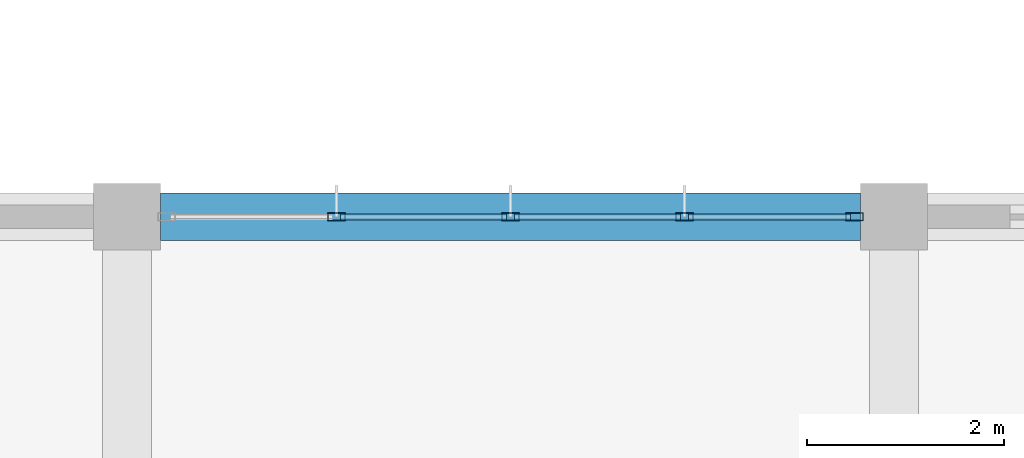
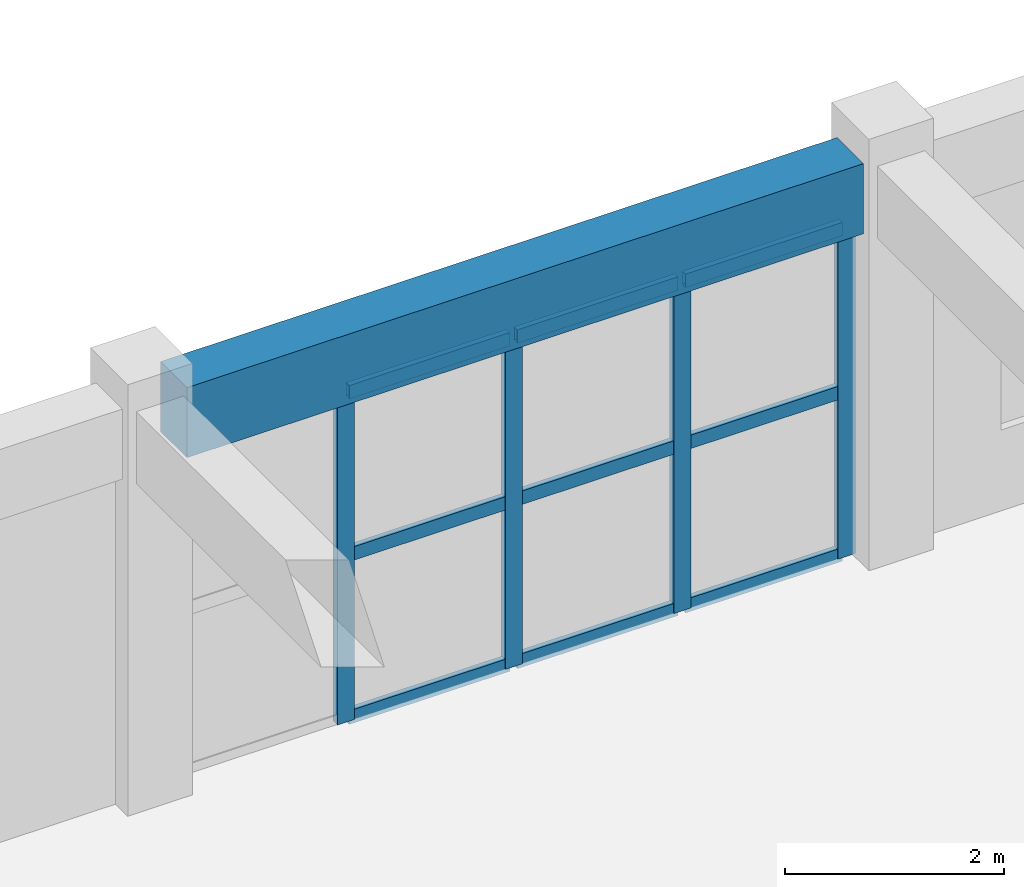
# One storey, part 114 of 175: 13 members, 1 beam, 1 element without a shape of its own.
"""IFC4 building model written with IfcOpenShell, lengths in metres."""

import ifcopenshell
import ifcopenshell.guid

model = None  # the IFC model being written
_history = None  # IfcOwnerHistory: only IFC2X3 demands one
_inside = {}  # id of a spatial element -> (the spatial element, [elements in it])
_under = {}  # id of a project, library or spatial element -> (it, [spatial elements below it])
_declared = {}  # id of a project -> (the project, [libraries it declares])
_typed = {}  # id of a type object -> (the type object, [elements of that type])
_made_of = {}  # id of a material, layer set ... -> (it, [elements and type objects made of it])


def new_model(schema):
    """Start an empty IFC model of exactly this schema.

    Asked for "IFC4X3", IfcOpenShell would pick the latest addendum, in which some entities
    have other attributes; the version numbers below select the first issue.
    IFC2X3 requires an IfcOwnerHistory on every rooted entity: one is made here for all.
    """
    global model, _history
    if schema == "IFC4X3":
        model = ifcopenshell.file(schema_version=(4, 3, 0, 0))
    else:
        model = ifcopenshell.file(schema=schema)
    _inside.clear()
    _under.clear()
    _declared.clear()
    _typed.clear()
    _made_of.clear()
    _history = None
    if model.schema == "IFC2X3":
        org = make("IfcOrganization", Name="unknown")
        user = make(
            "IfcPersonAndOrganization",
            ThePerson=make("IfcPerson", FamilyName="unknown"),
            TheOrganization=org,
        )
        app = make(
            "IfcApplication",
            ApplicationDeveloper=org,
            Version="unknown",
            ApplicationFullName="unknown",
            ApplicationIdentifier="unknown",
        )
        _history = make(
            "IfcOwnerHistory",
            OwningUser=user,
            OwningApplication=app,
            ChangeAction="ADDED",
            CreationDate=0,
        )
    return model


def make(cls, **values):
    """One entity of the class cls with the attributes given. An attribute that is None is left unset."""
    return model.create_entity(
        cls, **{name: value for name, value in values.items() if value is not None}
    )


def rooted(cls, **values):
    """An entity with a GlobalId (a new one), such as an element, a storey or a relation."""
    return make(cls, GlobalId=ifcopenshell.guid.new(), OwnerHistory=_history, **values)


def si_unit(unit_type, name, prefix=None):
    """IfcSIUnit, for example si_unit("LENGTHUNIT", "METRE", prefix="MILLI")."""
    return make("IfcSIUnit", UnitType=unit_type, Prefix=prefix, Name=name)


def assignment(units):
    """IfcUnitAssignment: the units of a project."""
    return None if units is None else make("IfcUnitAssignment", Units=units)


def point(xyz):
    """IfcCartesianPoint."""
    return None if xyz is None else make("IfcCartesianPoint", Coordinates=xyz)


def direction(xyz):
    """IfcDirection."""
    return None if xyz is None else make("IfcDirection", DirectionRatios=xyz)


def frame(location, z_axis=None, x_axis=None):
    """IfcAxis2Placement3D, a coordinate frame: its origin and axes. An axis left out is left unset."""
    return make(
        "IfcAxis2Placement3D",
        Location=point(location),
        Axis=direction(z_axis),
        RefDirection=direction(x_axis),
    )


def frame_2d(location, x_axis=None):
    """IfcAxis2Placement2D, a coordinate frame in the plane: its origin and x axis."""
    return make(
        "IfcAxis2Placement2D", Location=point(location), RefDirection=direction(x_axis)
    )


def origin():
    """The frame at (0, 0, 0) with its axes left unset."""
    return frame((0.0, 0.0, 0.0))


def origin_2d():
    """The frame at (0, 0) in the plane with its x axis left unset."""
    return frame_2d((0.0, 0.0))


def place(relative_to, where):
    """IfcLocalPlacement: puts the frame where relative to a parent placement (None: the world)."""
    return make(
        "IfcLocalPlacement", PlacementRelTo=relative_to, RelativePlacement=where
    )


def context(
    kind, dimensions, precision=None, world=None, true_north=None, identifier=None
):
    """IfcGeometricRepresentationContext, for example the 3D "Model" context."""
    return make(
        "IfcGeometricRepresentationContext",
        ContextIdentifier=identifier,
        ContextType=kind,
        CoordinateSpaceDimension=dimensions,
        Precision=precision,
        WorldCoordinateSystem=world,
        TrueNorth=true_north,
    )


def subcontext(parent, identifier, kind, view, scale=None):
    """IfcGeometricRepresentationSubContext, for example "Body" below "Model"."""
    return make(
        "IfcGeometricRepresentationSubContext",
        ContextIdentifier=identifier,
        ContextType=kind,
        ParentContext=parent,
        TargetScale=scale,
        TargetView=view,
    )


def project(units=None, contexts=None):
    """IfcProject with its units and contexts."""
    return rooted(
        "IfcProject",
        Name="project",
        RepresentationContexts=contexts,
        UnitsInContext=assignment(units),
    )


def spatial(cls, under=None, at=None, **own):
    """A site, building, storey or space (cls), placed at a placement, below another one or the project."""
    s = rooted(cls, ObjectPlacement=at, **own)
    if under is not None:
        _under.setdefault(under.id(), (under, []))[1].append(s)
    return s


def profile(cls, at=None, kind="AREA", **sizes):
    """A parametric profile (cls). Its sizes go by their IFC names, for example OverallWidth=200.0."""
    return make(cls, ProfileType=kind, Position=at, **sizes)


def rectangle(**sizes):
    """IfcRectangleProfileDef."""
    return profile("IfcRectangleProfileDef", **sizes)


def hollow_rectangle(**sizes):
    """IfcRectangleHollowProfileDef."""
    return profile("IfcRectangleHollowProfileDef", **sizes)


def extrude(swept, where, along, depth):
    """IfcExtrudedAreaSolid: the profile swept, set in the frame where, extruded along a direction by depth."""
    return make(
        "IfcExtrudedAreaSolid",
        SweptArea=swept,
        Position=where,
        ExtrudedDirection=direction(along),
        Depth=depth,
    )


def shape(context_of_items, identifier, shape_type, items):
    """IfcShapeRepresentation: the items that make up one representation, for example the "Body"."""
    return make(
        "IfcShapeRepresentation",
        ContextOfItems=context_of_items,
        RepresentationIdentifier=identifier,
        RepresentationType=shape_type,
        Items=items,
    )


def material(Name=None, Category=None):
    """IfcMaterial."""
    return make("IfcMaterial", Name=Name, Category=Category)


def layer(
    of_material, thickness, ventilated=None, Name=None, Category=None, Priority=None
):
    """IfcMaterialLayer: one layer of a wall or slab, of a material (None: an air gap)."""
    return make(
        "IfcMaterialLayer",
        Material=of_material,
        LayerThickness=thickness,
        IsVentilated=ventilated,
        Name=Name,
        Category=Category,
        Priority=Priority,
    )


def layer_set(layers, Name=None):
    """IfcMaterialLayerSet."""
    return make("IfcMaterialLayerSet", MaterialLayers=layers, LayerSetName=Name)


def material_profile(
    of_material, cross_section, Name=None, Category=None, Priority=None
):
    """IfcMaterialProfile: a cross section and its material."""
    return make(
        "IfcMaterialProfile",
        Name=Name,
        Material=of_material,
        Profile=cross_section,
        Priority=Priority,
        Category=Category,
    )


def profile_set(profiles, Name=None, composite=None):
    """IfcMaterialProfileSet."""
    return make(
        "IfcMaterialProfileSet",
        Name=Name,
        MaterialProfiles=profiles,
        CompositeProfile=composite,
    )


def made_of(thing, what):
    """Note that an element or type object is made of a material, layer set ...; save() writes the relation."""
    if what is not None:
        _made_of.setdefault(what.id(), (what, []))[1].append(thing)
    return thing


def type_object(cls, material=None, **own):
    """A type object (cls), such as IfcWallType, which elements share."""
    return made_of(rooted(cls, **own), material)


def element(
    cls,
    number,
    at=None,
    inside=None,
    cuts=None,
    type_object=None,
    material=None,
    context=None,
    identifier="Body",
    shape_type=None,
    held_by="IfcProductDefinitionShape",
    body=None,
    shapes=None,
    **own,
):
    """One element of the class cls, such as IfcWall. Its Tag is "e" and its number.

    at: its placement. inside: the storey or other place that contains it. cuts: it is an
    opening in that element (IfcRelVoidsElement). A single representation is given by context,
    identifier, shape_type and body (its items); several are given by shapes. held_by: the class
    of the entity that holds the representations. save() writes the other relations.
    """
    e = rooted(cls, Tag="e%d" % number, ObjectPlacement=at, **own)
    if body is not None:
        shapes = [shape(context, identifier, shape_type, body)]
    if shapes is not None:
        e.Representation = make(held_by, Representations=shapes)
    if inside is not None:
        _inside.setdefault(inside.id(), (inside, []))[1].append(e)
    if cuts is not None:
        rooted(
            "IfcRelVoidsElement", RelatingBuildingElement=cuts, RelatedOpeningElement=e
        )
    if type_object is not None:
        _typed.setdefault(type_object.id(), (type_object, []))[1].append(e)
    return made_of(e, material)


def aggregate(whole, parts):
    """IfcRelAggregates: a whole, such as a stair, and the parts it consists of."""
    return rooted("IfcRelAggregates", RelatingObject=whole, RelatedObjects=parts)


def save(model, path):
    """Write the relations noted so far, then the file.

    IfcRelAggregates (storeys below a building ...), IfcRelContainedInSpatialStructure (elements
    in a storey), IfcRelDefinesByType, IfcRelAssociatesMaterial and IfcRelDeclares: one each for
    every whole, place, type object, material and project.
    """
    for whole, parts in _under.values():
        aggregate(whole, parts)
    for where, things in _inside.values():
        rooted(
            "IfcRelContainedInSpatialStructure",
            RelatedElements=things,
            RelatingStructure=where,
        )
    for kind, things in _typed.values():
        rooted("IfcRelDefinesByType", RelatedObjects=things, RelatingType=kind)
    for what, things in _made_of.values():
        rooted("IfcRelAssociatesMaterial", RelatedObjects=things, RelatingMaterial=what)
    for by, libraries in _declared.values():
        rooted("IfcRelDeclares", RelatingContext=by, RelatedDefinitions=libraries)
    model.write(path)


model = new_model("IFC4")

# Units and contexts
model_context = context("Model", 3, precision=1e-05, world=origin(), true_north=direction((0.0, 1.0)))
body_context = subcontext(model_context, "Body", "Model", "MODEL_VIEW")
ifc_project = project(units=[si_unit("LENGTHUNIT", "METRE"), si_unit("AREAUNIT", "SQUARE_METRE"), si_unit("VOLUMEUNIT", "CUBIC_METRE"), si_unit("PLANEANGLEUNIT", "RADIAN"), si_unit("MASSUNIT", "GRAM", prefix="KILO")], contexts=[model_context])

# Site, building, storey
site_placement = place(None, origin())
site = spatial("IfcSite", under=ifc_project, at=site_placement, CompositionType="ELEMENT")
building_placement = place(site_placement, origin())
building = spatial("IfcBuilding", under=site, at=building_placement, Name="Zizhar Promenade General Hospital", CompositionType="ELEMENT")
storey_placement = place(building_placement, frame((0.0, 0.0, 4.800048828125)))
storey = spatial("IfcBuildingStorey", under=building, at=storey_placement, Name="L01", CompositionType="ELEMENT", Elevation=4.800048828125)

# Beam
ifc_material_1 = material(Name="Concrete C35/45", Category="concrete")
ifc_material_profile_1 = material_profile(ifc_material_1, rectangle(XDim=0.47998046875, YDim=0.780029296875, at=origin_2d()))
ifc_profile_set_1 = profile_set([ifc_material_profile_1], Name="Concrete C35/45")
beam_type = type_object("IfcBeamType", Name="BM-RC-480x780", PredefinedType="BEAM", material=ifc_profile_set_1)
beam_placement = place(storey_placement, frame((156.340087890625, 109.199951171875, 4.079833984375), z_axis=(1.0, 0.0, 0.0), x_axis=(0.0, 1.0, 0.0)))
element("IfcBeam", 1, at=beam_placement, inside=storey, type_object=beam_type, Name="Grid Beam X L01 (20-13)", PredefinedType="BEAM", context=body_context, shape_type="SweptSolid", body=[
    extrude(rectangle(XDim=0.47998046875, YDim=0.780029296875, at=origin_2d()), origin(), (0.0, 0.0, 1.0), 7.119873046875),
])

# Curtain wall, members
ifc_material_2 = material(Name="Anodised aluminium 6063-T6 and low-E glass", Category="aluminium")
ifc_layer = layer(ifc_material_2, 0.159912109375)
ifc_layer_set = layer_set([ifc_layer], Name="Anodised aluminium 6063-T6 and low-E glass")
curtain_wall_type = type_object("IfcCurtainWallType", Name="CW-CLN-EXT", PredefinedType="NOTDEFINED", material=ifc_layer_set)
curtain_wall_placement = place(storey_placement, origin())
curtain_wall = element("IfcCurtainWall", 2, at=curtain_wall_placement, inside=storey, type_object=curtain_wall_type, Name="Outpatient North Curtain Wall L01-20", PredefinedType="NOTDEFINED")
ifc_material_3 = material(Name="Anodised aluminium 6063-T6", Category="aluminium")
ifc_material_profile_2 = material_profile(ifc_material_3, hollow_rectangle(XDim=0.080078125, YDim=0.179931640625, WallThickness=0.0048828125, at=origin_2d()))
ifc_profile_set_2 = profile_set([ifc_material_profile_2], Name="Anodised aluminium 6063-T6")
member_type_1 = type_object("IfcMemberType", Name="CWM-ALU-180x80", PredefinedType="MULLION", material=ifc_profile_set_2)
member_1_placement = place(storey_placement, frame((158.1298828125, 109.199951171875, 0.0), z_axis=(0.0, 0.0, 1.0), x_axis=(0.0, 1.0, 0.0)))
member_1 = element("IfcMember", 3, at=member_1_placement, type_object=member_type_1, Name="CW-09 mullion 2", PredefinedType="MULLION", context=body_context, shape_type="SweptSolid", body=[
    extrude(hollow_rectangle(XDim=0.080078125, YDim=0.179931640625, WallThickness=0.0048828125, at=origin_2d()), origin(), (0.0, 0.0, 1.0), 3.679931640625),
])
member_2_placement = place(storey_placement, frame((159.89990234375, 109.199951171875, 0.0), z_axis=(0.0, 0.0, 1.0), x_axis=(0.0, 1.0, 0.0)))
member_2 = element("IfcMember", 4, at=member_2_placement, type_object=member_type_1, Name="CW-09 mullion 3", PredefinedType="MULLION", context=body_context, shape_type="SweptSolid", body=[
    extrude(hollow_rectangle(XDim=0.080078125, YDim=0.179931640625, WallThickness=0.0048828125, at=origin_2d()), origin(), (0.0, 0.0, 1.0), 3.679931640625),
])
member_3_placement = place(storey_placement, frame((161.669921875, 109.199951171875, 0.0), z_axis=(0.0, 0.0, 1.0), x_axis=(0.0, 1.0, 0.0)))
member_3 = element("IfcMember", 5, at=member_3_placement, type_object=member_type_1, Name="CW-09 mullion 4", PredefinedType="MULLION", context=body_context, shape_type="SweptSolid", body=[
    extrude(hollow_rectangle(XDim=0.080078125, YDim=0.179931640625, WallThickness=0.0048828125, at=origin_2d()), origin(), (0.0, 0.0, 1.0), 3.679931640625),
])
member_4_placement = place(storey_placement, frame((163.39990234375, 109.199951171875, 0.0), z_axis=(0.0, 0.0, 1.0), x_axis=(0.0, 1.0, 0.0)))
member_4 = element("IfcMember", 6, at=member_4_placement, type_object=member_type_1, Name="CW-09 mullion 5", PredefinedType="MULLION", context=body_context, shape_type="SweptSolid", body=[
    extrude(hollow_rectangle(XDim=0.080078125, YDim=0.179931640625, WallThickness=0.0048828125, at=origin_2d()), origin(), (0.0, 0.0, 1.0), 3.679931640625),
])
ifc_material_4 = material(Name="Anodised aluminium 6063-T6", Category="aluminium")
ifc_material_profile_3 = material_profile(ifc_material_4, hollow_rectangle(XDim=0.06005859375, YDim=0.14990234375, WallThickness=0.00390625, at=origin_2d()))
ifc_profile_set_3 = profile_set([ifc_material_profile_3], Name="Anodised aluminium 6063-T6")
member_type_2 = type_object("IfcMemberType", Name="CWT-ALU-150x60", PredefinedType="USERDEFINED", material=ifc_profile_set_3)
member_5_placement = place(storey_placement, frame((158.169921875, 109.199951171875, 0.030029296875), z_axis=(1.0, 0.0, 0.0), x_axis=(0.0, 1.0, 0.0)))
member_5 = element("IfcMember", 7, at=member_5_placement, type_object=member_type_2, Name="CW-09 transom 2.1", ObjectType="TRANSOM", PredefinedType="USERDEFINED", context=body_context, shape_type="SweptSolid", body=[
    extrude(hollow_rectangle(XDim=0.06005859375, YDim=0.14990234375, WallThickness=0.00390625, at=origin_2d()), origin(), (0.0, 0.0, 1.0), 1.690185546875),
])
member_6_placement = place(storey_placement, frame((158.169921875, 109.199951171875, 1.83984375), z_axis=(1.0, 0.0, 0.0), x_axis=(0.0, 1.0, 0.0)))
member_6 = element("IfcMember", 8, at=member_6_placement, type_object=member_type_2, Name="CW-09 transom 2.2", ObjectType="TRANSOM", PredefinedType="USERDEFINED", context=body_context, shape_type="SweptSolid", body=[
    extrude(hollow_rectangle(XDim=0.06005859375, YDim=0.14990234375, WallThickness=0.00390625, at=origin_2d()), origin(), (0.0, 0.0, 1.0), 1.690185546875),
])
member_7_placement = place(storey_placement, frame((158.169921875, 109.199951171875, 3.64990234375), z_axis=(1.0, 0.0, 0.0), x_axis=(0.0, 1.0, 0.0)))
member_7 = element("IfcMember", 9, at=member_7_placement, type_object=member_type_2, Name="CW-09 transom 2.3", ObjectType="TRANSOM", PredefinedType="USERDEFINED", context=body_context, shape_type="SweptSolid", body=[
    extrude(hollow_rectangle(XDim=0.06005859375, YDim=0.14990234375, WallThickness=0.00390625, at=origin_2d()), origin(), (0.0, 0.0, 1.0), 1.690185546875),
])
member_8_placement = place(storey_placement, frame((159.93994140625, 109.199951171875, 0.030029296875), z_axis=(1.0, 0.0, 0.0), x_axis=(0.0, 1.0, 0.0)))
member_8 = element("IfcMember", 10, at=member_8_placement, type_object=member_type_2, Name="CW-09 transom 3.1", ObjectType="TRANSOM", PredefinedType="USERDEFINED", context=body_context, shape_type="SweptSolid", body=[
    extrude(hollow_rectangle(XDim=0.06005859375, YDim=0.14990234375, WallThickness=0.00390625, at=origin_2d()), origin(), (0.0, 0.0, 1.0), 1.68994140625),
])
member_9_placement = place(storey_placement, frame((159.93994140625, 109.199951171875, 1.83984375), z_axis=(1.0, 0.0, 0.0), x_axis=(0.0, 1.0, 0.0)))
member_9 = element("IfcMember", 11, at=member_9_placement, type_object=member_type_2, Name="CW-09 transom 3.2", ObjectType="TRANSOM", PredefinedType="USERDEFINED", context=body_context, shape_type="SweptSolid", body=[
    extrude(hollow_rectangle(XDim=0.06005859375, YDim=0.14990234375, WallThickness=0.00390625, at=origin_2d()), origin(), (0.0, 0.0, 1.0), 1.68994140625),
])
member_10_placement = place(storey_placement, frame((159.93994140625, 109.199951171875, 3.64990234375), z_axis=(1.0, 0.0, 0.0), x_axis=(0.0, 1.0, 0.0)))
member_10 = element("IfcMember", 12, at=member_10_placement, type_object=member_type_2, Name="CW-09 transom 3.3", ObjectType="TRANSOM", PredefinedType="USERDEFINED", context=body_context, shape_type="SweptSolid", body=[
    extrude(hollow_rectangle(XDim=0.06005859375, YDim=0.14990234375, WallThickness=0.00390625, at=origin_2d()), origin(), (0.0, 0.0, 1.0), 1.68994140625),
])
member_11_placement = place(storey_placement, frame((161.7099609375, 109.199951171875, 0.030029296875), z_axis=(1.0, 0.0, 0.0), x_axis=(0.0, 1.0, 0.0)))
member_11 = element("IfcMember", 13, at=member_11_placement, type_object=member_type_2, Name="CW-09 transom 4.1", ObjectType="TRANSOM", PredefinedType="USERDEFINED", context=body_context, shape_type="SweptSolid", body=[
    extrude(hollow_rectangle(XDim=0.06005859375, YDim=0.14990234375, WallThickness=0.00390625, at=origin_2d()), origin(), (0.0, 0.0, 1.0), 1.650146484375),
])
member_12_placement = place(storey_placement, frame((161.7099609375, 109.199951171875, 1.83984375), z_axis=(1.0, 0.0, 0.0), x_axis=(0.0, 1.0, 0.0)))
member_12 = element("IfcMember", 14, at=member_12_placement, type_object=member_type_2, Name="CW-09 transom 4.2", ObjectType="TRANSOM", PredefinedType="USERDEFINED", context=body_context, shape_type="SweptSolid", body=[
    extrude(hollow_rectangle(XDim=0.06005859375, YDim=0.14990234375, WallThickness=0.00390625, at=origin_2d()), origin(), (0.0, 0.0, 1.0), 1.650146484375),
])
member_13_placement = place(storey_placement, frame((161.7099609375, 109.199951171875, 3.64990234375), z_axis=(1.0, 0.0, 0.0), x_axis=(0.0, 1.0, 0.0)))
member_13 = element("IfcMember", 15, at=member_13_placement, type_object=member_type_2, Name="CW-09 transom 4.3", ObjectType="TRANSOM", PredefinedType="USERDEFINED", context=body_context, shape_type="SweptSolid", body=[
    extrude(hollow_rectangle(XDim=0.06005859375, YDim=0.14990234375, WallThickness=0.00390625, at=origin_2d()), origin(), (0.0, 0.0, 1.0), 1.650146484375),
])
aggregate(curtain_wall, [member_1, member_2, member_3, member_4, member_5, member_6, member_7, member_8, member_9, member_10, member_11, member_12, member_13])

save(model, "model.ifc")
